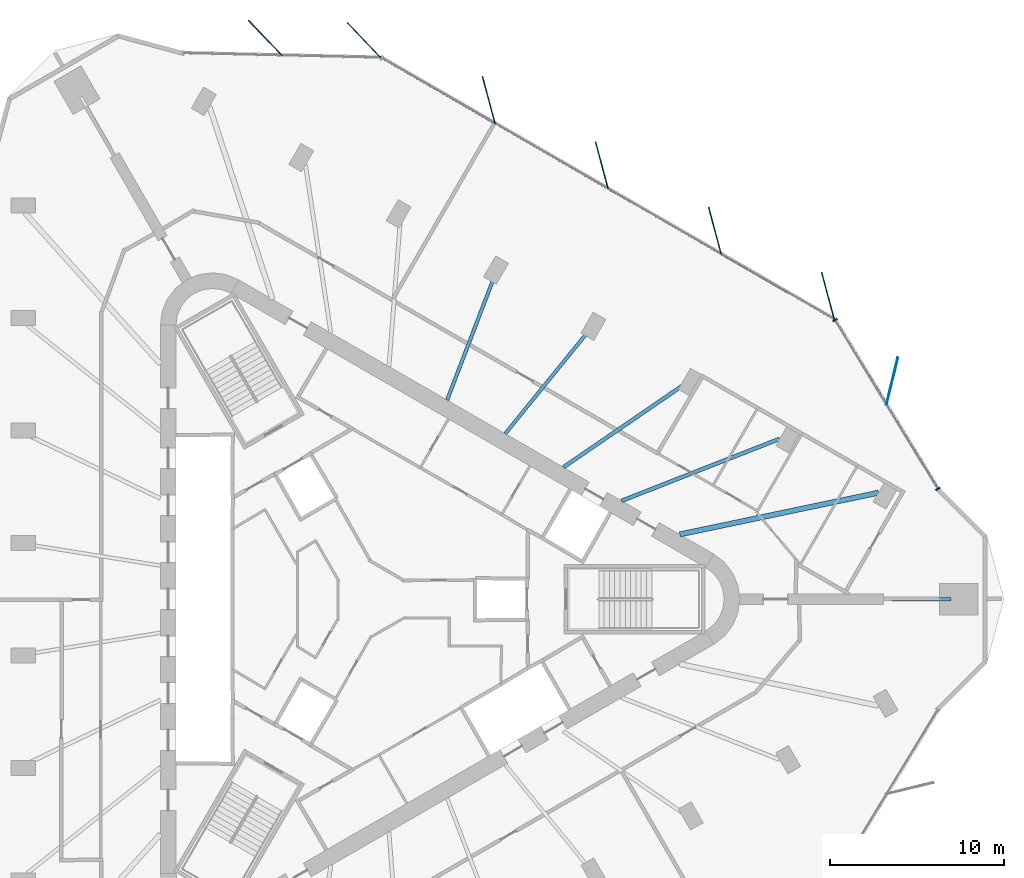
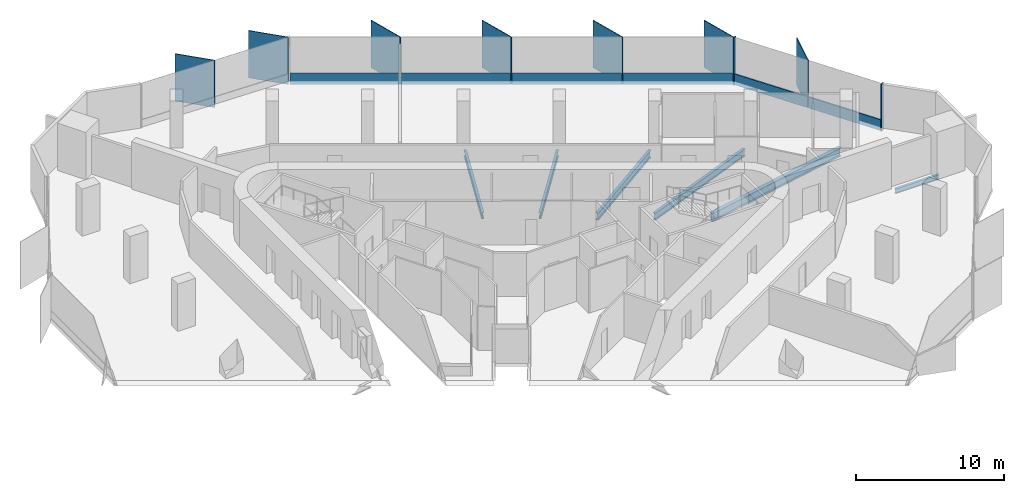
# One storey, part 5 of 12: 15 members, 6 beams, 3 elements without a shape of their own.
"""IFC4 building model written with IfcOpenShell, lengths in metres."""

from ifc_helpers import new_model, si_unit, direction, frame, origin, origin_2d, place, context, subcontext, project, spatial, rectangle, i_section, extrude, material, material_profile, profile_set, type_object, element, aggregate, save


model = new_model("IFC4")

# Units and contexts
model_context = context("Model", 3, precision=1e-05, world=origin(), true_north=direction((0.0, 1.0)))
body_context = subcontext(model_context, "Body", "Model", "MODEL_VIEW")
ifc_project = project(units=[si_unit("LENGTHUNIT", "METRE"), si_unit("AREAUNIT", "SQUARE_METRE"), si_unit("VOLUMEUNIT", "CUBIC_METRE"), si_unit("PLANEANGLEUNIT", "RADIAN"), si_unit("MASSUNIT", "GRAM", prefix="KILO")], contexts=[model_context])

# Site, building, storey
site_placement = place(None, origin())
site = spatial("IfcSite", under=ifc_project, at=site_placement, CompositionType="ELEMENT")
building_placement = place(site_placement, origin())
building = spatial("IfcBuilding", under=site, at=building_placement, Name="Tanit Gate Tower", CompositionType="ELEMENT")
storey_placement = place(building_placement, frame((0.0, 0.0, 333.800048828125)))
storey = spatial("IfcBuildingStorey", under=building, at=storey_placement, Name="L75", CompositionType="ELEMENT", Elevation=333.800048828125)

# Curtain wall, member
ifc_material_1 = material(Name="Aluminium bronze anodised and glass", Category="aluminium")
curtain_wall_type = type_object("IfcCurtainWallType", Name="Curtain wall typical high", PredefinedType="NOTDEFINED", material=ifc_material_1)
curtain_wall_1_placement = place(storey_placement, origin())
curtain_wall_1 = element("IfcCurtainWall", 1, at=curtain_wall_1_placement, inside=storey, type_object=curtain_wall_type, Name="Curtain wall L75 NE1", PredefinedType="NOTDEFINED")
ifc_material_2 = material(Name="Aluminium bronze anodised", Category="aluminium")
ifc_material_profile_1 = material_profile(ifc_material_2, rectangle(XDim=2.800048828125, YDim=0.055908203125, at=origin_2d()), Name="56x2800 bronze fin mullion")
ifc_profile_set_1 = profile_set([ifc_material_profile_1], Name="Aluminium bronze anodised")
member_type_1 = type_object("IfcMemberType", Name="FIN MULLION 56x2800 bronze", PredefinedType="MULLION", material=ifc_profile_set_1)
member_1_placement = place(storey_placement, frame((29.96044921875, 12.53466796875, -0.300048828125), z_axis=(0.0, 0.0, 1.0), x_axis=(-0.236495508607, -0.971632582002, 0.0)))
member_1 = element("IfcMember", 2, at=member_1_placement, type_object=member_type_1, Name="Fin mullion L75 NE1.2", PredefinedType="MULLION", context=body_context, shape_type="SweptSolid", body=[
    extrude(rectangle(XDim=2.800048828125, YDim=0.055908203125, at=origin_2d()), origin(), (0.0, 0.0, 1.0), 3.89990234375),
])

# Curtain wall, members
curtain_wall_2_placement = place(storey_placement, origin())
curtain_wall_2 = element("IfcCurtainWall", 3, at=curtain_wall_2_placement, inside=storey, type_object=curtain_wall_type, Name="Curtain wall L75 NE2", PredefinedType="NOTDEFINED")
member_2_placement = place(storey_placement, frame((26.2685546875, 17.43408203125, -0.300048828125), z_axis=(0.0, 0.0, 1.0), x_axis=(0.25875206837, -0.965943770162, 0.0)))
member_2 = element("IfcMember", 4, at=member_2_placement, type_object=member_type_1, Name="Fin mullion L75 NE2.1", PredefinedType="MULLION", context=body_context, shape_type="SweptSolid", body=[
    extrude(rectangle(XDim=2.800048828125, YDim=0.055908203125, at=origin_2d()), origin(), (0.0, 0.0, 1.0), 3.89990234375),
])
member_3_placement = place(storey_placement, frame((19.77001953125, 21.1865234375, -0.300048828125), z_axis=(0.0, 0.0, 1.0), x_axis=(0.25875206837, -0.965943770162, 0.0)))
member_3 = element("IfcMember", 5, at=member_3_placement, type_object=member_type_1, Name="Fin mullion L75 NE2.2", PredefinedType="MULLION", context=body_context, shape_type="SweptSolid", body=[
    extrude(rectangle(XDim=2.800048828125, YDim=0.055908203125, at=origin_2d()), origin(), (0.0, 0.0, 1.0), 3.89990234375),
])
member_4_placement = place(storey_placement, frame((13.271728515625, 24.93896484375, -0.300048828125), z_axis=(0.0, 0.0, 1.0), x_axis=(0.25875206837, -0.965943770162, 0.0)))
member_4 = element("IfcMember", 6, at=member_4_placement, type_object=member_type_1, Name="Fin mullion L75 NE2.3", PredefinedType="MULLION", context=body_context, shape_type="SweptSolid", body=[
    extrude(rectangle(XDim=2.800048828125, YDim=0.055908203125, at=origin_2d()), origin(), (0.0, 0.0, 1.0), 3.89990234375),
])
member_5_placement = place(storey_placement, frame((6.7734375, 28.69140625, -0.300048828125), z_axis=(0.0, 0.0, 1.0), x_axis=(0.25875206837, -0.965943770162, 0.0)))
member_5 = element("IfcMember", 7, at=member_5_placement, type_object=member_type_1, Name="Fin mullion L75 NE2.4", PredefinedType="MULLION", context=body_context, shape_type="SweptSolid", body=[
    extrude(rectangle(XDim=2.800048828125, YDim=0.055908203125, at=origin_2d()), origin(), (0.0, 0.0, 1.0), 3.89990234375),
])

curtain_wall_3_placement = place(storey_placement, origin())
curtain_wall_3 = element("IfcCurtainWall", 8, at=curtain_wall_3_placement, inside=storey, type_object=curtain_wall_type, Name="Curtain wall L75 NE3", PredefinedType="NOTDEFINED")
member_6_placement = place(storey_placement, frame((-0.39599609375, 32.129638671875, -0.300048828125), z_axis=(0.0, 0.0, 1.0), x_axis=(0.690743181082, -0.723100171338, 0.0)))
member_6 = element("IfcMember", 9, at=member_6_placement, type_object=member_type_1, Name="Fin mullion L75 NE3.1", PredefinedType="MULLION", context=body_context, shape_type="SweptSolid", body=[
    extrude(rectangle(XDim=2.800048828125, YDim=0.055908203125, at=origin_2d()), origin(), (0.0, 0.0, 1.0), 3.89990234375),
])
member_7_placement = place(storey_placement, frame((-6.075927734375, 32.259765625, -0.300048828125), z_axis=(0.0, 0.0, 1.0), x_axis=(0.690743181082, -0.723100171338, 0.0)))
member_7 = element("IfcMember", 10, at=member_7_placement, type_object=member_type_1, Name="Fin mullion L75 NE3.2", PredefinedType="MULLION", context=body_context, shape_type="SweptSolid", body=[
    extrude(rectangle(XDim=2.800048828125, YDim=0.055908203125, at=origin_2d()), origin(), (0.0, 0.0, 1.0), 3.89990234375),
])
aggregate(curtain_wall_3, [member_6, member_7])

# Member
ifc_material_3 = material(Name="Aluminium bronze anodised", Category="aluminium")
ifc_material_profile_2 = material_profile(ifc_material_3, rectangle(XDim=0.280029296875, YDim=0.080078125, at=origin_2d()), Name="80x280 bronze mullion")
ifc_profile_set_2 = profile_set([ifc_material_profile_2], Name="Aluminium bronze anodised")
member_type_2 = type_object("IfcMemberType", Name="Mullion 80x280 typical high", PredefinedType="MULLION", material=ifc_profile_set_2)
member_8_placement = place(storey_placement, frame((32.587158203125, 6.340576171875, -0.300048828125), z_axis=(0.0, 0.0, 1.0), x_axis=(-0.854275565412, -0.519820409699, 0.0)))
member_8 = element("IfcMember", 11, at=member_8_placement, type_object=member_type_2, Name="Mullion L75 NE1.1", PredefinedType="MULLION", context=body_context, shape_type="SweptSolid", body=[
    extrude(rectangle(XDim=0.280029296875, YDim=0.080078125, at=origin_2d()), origin(), (0.0, 0.0, 1.0), 3.89990234375),
])

member_9_placement = place(storey_placement, frame((26.68115234375, 16.046875, -0.300048828125), z_axis=(0.0, 0.0, 1.0), x_axis=(-0.854275565412, -0.519820409699, 0.0)))
member_9 = element("IfcMember", 12, at=member_9_placement, type_object=member_type_2, Name="Mullion L75 NE1.3", PredefinedType="MULLION", context=body_context, shape_type="SweptSolid", body=[
    extrude(rectangle(XDim=0.280029296875, YDim=0.080078125, at=origin_2d()), origin(), (0.0, 0.0, 1.0), 3.89990234375),
])

# Beams
ifc_material_4 = material(Name="Steel S355", Category="steel")
ifc_material_profile_3 = material_profile(ifc_material_4, i_section(OverallWidth=0.300048828125, OverallDepth=0.68994140625, WebThickness=0.014404296875, FlangeThickness=0.027099609375, FilletRadius=0.027099609375, at=origin_2d()), Name="HEA 700")
ifc_profile_set_3 = profile_set([ifc_material_profile_3], Name="Steel S355")
beam_type_1 = type_object("IfcBeamType", Name="RADIAL GIRDER HEA 700 S355", PredefinedType="BEAM", material=ifc_profile_set_3)
beam_1_placement = place(storey_placement, frame((29.166015625, 6.119873046875, -0.64501953125), z_axis=(-0.978685947047, -0.205362647655, 0.0), x_axis=(0.205362647655, -0.978685947047, 0.0)))
element("IfcBeam", 13, at=beam_1_placement, inside=storey, type_object=beam_type_1, Name="RADIAL GIRDER", PredefinedType="BEAM", context=body_context, shape_type="SweptSolid", body=[
    extrude(i_section(OverallWidth=0.300048828125, OverallDepth=0.68994140625, WebThickness=0.014404296875, FlangeThickness=0.027099609375, FilletRadius=0.027099609375, at=origin_2d()), origin(), (0.0, 0.0, 1.0), 11.662353515625),
])
ifc_material_5 = material(Name="Steel S355", Category="steel")
ifc_material_profile_4 = material_profile(ifc_material_5, i_section(OverallWidth=0.179931640625, OverallDepth=0.39990234375, WebThickness=0.008544921875, FlangeThickness=0.013427734375, FilletRadius=0.02099609375, at=origin_2d()), Name="IPE 400")
ifc_profile_set_4 = profile_set([ifc_material_profile_4], Name="Steel S355")
beam_type_2 = type_object("IfcBeamType", Name="RADIAL GIRDER IPE 400 S355", PredefinedType="BEAM", material=ifc_profile_set_4)
beam_2_placement = place(storey_placement, frame((33.3349609375, 0.0, -0.5), z_axis=(-1.0, 0.0, 0.0), x_axis=(0.0, -1.0, 0.0)))
element("IfcBeam", 14, at=beam_2_placement, inside=storey, type_object=beam_type_2, Name="RADIAL GIRDER", PredefinedType="BEAM", context=body_context, shape_type="SweptSolid", body=[
    extrude(i_section(OverallWidth=0.179931640625, OverallDepth=0.39990234375, WebThickness=0.008544921875, FlangeThickness=0.013427734375, FilletRadius=0.02099609375, at=origin_2d()), origin(), (0.0, 0.0, 1.0), 3.397705078125),
])
ifc_material_6 = material(Name="Steel S355", Category="steel")
ifc_material_profile_5 = material_profile(ifc_material_6, i_section(OverallWidth=0.199951171875, OverallDepth=0.5, WebThickness=0.01025390625, FlangeThickness=0.01611328125, FilletRadius=0.02099609375, at=origin_2d()), Name="IPE 500")
ifc_profile_set_5 = profile_set([ifc_material_profile_5], Name="Steel S355")
beam_type_3 = type_object("IfcBeamType", Name="RADIAL GIRDER IPE 500 S355", PredefinedType="BEAM", material=ifc_profile_set_5)
for number, where, z_axis, x_axis, name in (
    (15, (12.484130859375, 15.38232421875, -0.550048828125), (-0.630160700976, -0.776464739023, 0.0), (0.776464739023, -0.630160700976, 0.0), "RADIAL GIRDER"),
    (16, (7.07958984375, 18.502685546875, -0.550048828125), (-0.357365465254, -0.93396462687, 0.0), (0.93396462687, -0.357365465254, 0.0), "RADIAL GIRDER"),
):
    element("IfcBeam", number, at=place(storey_placement, frame(where, z_axis=z_axis, x_axis=x_axis)), inside=storey, type_object=beam_type_3, Name=name, PredefinedType="BEAM", context=body_context, shape_type="SweptSolid", body=[
        extrude(i_section(OverallWidth=0.199951171875, OverallDepth=0.5, WebThickness=0.01025390625, FlangeThickness=0.01611328125, FilletRadius=0.02099609375, at=origin_2d()), origin(), (0.0, 0.0, 1.0), 7.555908203125),
    ])
ifc_material_7 = material(Name="Steel S355", Category="steel")
ifc_material_profile_6 = material_profile(ifc_material_7, i_section(OverallWidth=0.219970703125, OverallDepth=0.60009765625, WebThickness=0.011962890625, FlangeThickness=0.01904296875, FilletRadius=0.02392578125, at=origin_2d()), Name="IPE 600")
ifc_profile_set_6 = profile_set([ifc_material_profile_6], Name="Steel S355")
beam_type_4 = type_object("IfcBeamType", Name="RADIAL GIRDER IPE 600 S355", PredefinedType="BEAM", material=ifc_profile_set_6)
beam_3_placement = place(storey_placement, frame((23.4921875, 9.219970703125, -0.60009765625), z_axis=(-0.930869443065, -0.365351994614, 0.0), x_axis=(0.365351994614, -0.930869443065, 0.0)))
element("IfcBeam", 17, at=beam_3_placement, inside=storey, type_object=beam_type_4, Name="RADIAL GIRDER", PredefinedType="BEAM", context=body_context, shape_type="SweptSolid", body=[
    extrude(i_section(OverallWidth=0.219970703125, OverallDepth=0.60009765625, WebThickness=0.011962890625, FlangeThickness=0.01904296875, FilletRadius=0.02392578125, at=origin_2d()), origin(), (0.0, 0.0, 1.0), 9.757568359375),
])
beam_4_placement = place(storey_placement, frame((17.888671875, 12.26220703125, -0.60009765625), z_axis=(-0.824811044423, -0.565408472698, 0.0), x_axis=(0.565408472698, -0.824811044423, 0.0)))
element("IfcBeam", 18, at=beam_4_placement, inside=storey, type_object=beam_type_4, Name="RADIAL GIRDER", PredefinedType="BEAM", context=body_context, shape_type="SweptSolid", body=[
    extrude(i_section(OverallWidth=0.219970703125, OverallDepth=0.60009765625, WebThickness=0.011962890625, FlangeThickness=0.01904296875, FilletRadius=0.02392578125, at=origin_2d()), origin(), (0.0, 0.0, 1.0), 8.27197265625),
])

# Member
ifc_material_8 = material(Name="Aluminium bronze anodised", Category="aluminium")
ifc_material_profile_7 = material_profile(ifc_material_8, rectangle(XDim=0.1201171875, YDim=0.89990234375, at=origin_2d()), Name="120x900 bronze transom")
ifc_profile_set_7 = profile_set([ifc_material_profile_7], Name="Aluminium bronze anodised")
member_type_3 = type_object("IfcMemberType", Name="Transom 120x900 typical high", PredefinedType="USERDEFINED", material=ifc_profile_set_7)
member_10_placement = place(storey_placement, frame((32.56640625, 6.374755859375, 0.14990234375), z_axis=(-0.519812803003, 0.854280193984, 0.0), x_axis=(-0.854280193984, -0.519812803003, 0.0)))
member_10 = element("IfcMember", 19, at=member_10_placement, type_object=member_type_3, Name="Transom L75 NE1.1", ObjectType="TRANSOM", PredefinedType="USERDEFINED", context=body_context, shape_type="SweptSolid", body=[
    extrude(rectangle(XDim=0.1201171875, YDim=0.89990234375, at=origin_2d()), origin(), (0.0, 0.0, 1.0), 5.600830078125),
])

member_11_placement = place(storey_placement, frame((29.61328125, 11.227783203125, 0.14990234375), z_axis=(-0.519793446687, 0.854291971624, 0.0), x_axis=(-0.854291971624, -0.519793446687, 0.0)))
member_11 = element("IfcMember", 20, at=member_11_placement, type_object=member_type_3, Name="Transom L75 NE1.2", ObjectType="TRANSOM", PredefinedType="USERDEFINED", context=body_context, shape_type="SweptSolid", body=[
    extrude(rectangle(XDim=0.1201171875, YDim=0.89990234375, at=origin_2d()), origin(), (0.0, 0.0, 1.0), 5.60107421875),
])

aggregate(curtain_wall_1, [member_8, member_1, member_9, member_10, member_11])

member_12_placement = place(storey_placement, frame((26.591064453125, 16.120849609375, 0.14990234375), z_axis=(-0.865981856165, 0.500075419105, 0.0), x_axis=(-0.500075419105, -0.865981856165, 0.0)))
member_12 = element("IfcMember", 21, at=member_12_placement, type_object=member_type_3, Name="Transom L75 NE2.1", ObjectType="TRANSOM", PredefinedType="USERDEFINED", context=body_context, shape_type="SweptSolid", body=[
    extrude(rectangle(XDim=0.1201171875, YDim=0.89990234375, at=origin_2d()), origin(), (0.0, 0.0, 1.0), 7.424072265625),
])

member_13_placement = place(storey_placement, frame((20.092529296875, 19.873291015625, 0.14990234375), z_axis=(-0.865973632195, 0.500089660304, 0.0), x_axis=(-0.500089660304, -0.865973632195, 0.0)))
member_13 = element("IfcMember", 22, at=member_13_placement, type_object=member_type_3, Name="Transom L75 NE2.2", ObjectType="TRANSOM", PredefinedType="USERDEFINED", context=body_context, shape_type="SweptSolid", body=[
    extrude(rectangle(XDim=0.1201171875, YDim=0.89990234375, at=origin_2d()), origin(), (0.0, 0.0, 1.0), 7.424072265625),
])

member_14_placement = place(storey_placement, frame((13.59423828125, 23.6259765625, 0.14990234375), z_axis=(-0.86599609691, 0.500050757561, 0.0), x_axis=(-0.500050757561, -0.86599609691, 0.0)))
member_14 = element("IfcMember", 23, at=member_14_placement, type_object=member_type_3, Name="Transom L75 NE2.3", ObjectType="TRANSOM", PredefinedType="USERDEFINED", context=body_context, shape_type="SweptSolid", body=[
    extrude(rectangle(XDim=0.1201171875, YDim=0.89990234375, at=origin_2d()), origin(), (0.0, 0.0, 1.0), 7.424072265625),
])

member_15_placement = place(storey_placement, frame((7.095703125, 27.37841796875, 0.14990234375), z_axis=(-0.865987873615, 0.500064998526, 0.0), x_axis=(-0.500064998526, -0.865987873615, 0.0)))
member_15 = element("IfcMember", 24, at=member_15_placement, type_object=member_type_3, Name="Transom L75 NE2.4", ObjectType="TRANSOM", PredefinedType="USERDEFINED", context=body_context, shape_type="SweptSolid", body=[
    extrude(rectangle(XDim=0.1201171875, YDim=0.89990234375, at=origin_2d()), origin(), (0.0, 0.0, 1.0), 7.423828125),
])

aggregate(curtain_wall_2, [member_2, member_3, member_4, member_5, member_12, member_13, member_14, member_15])

save(model, "model.ifc")
